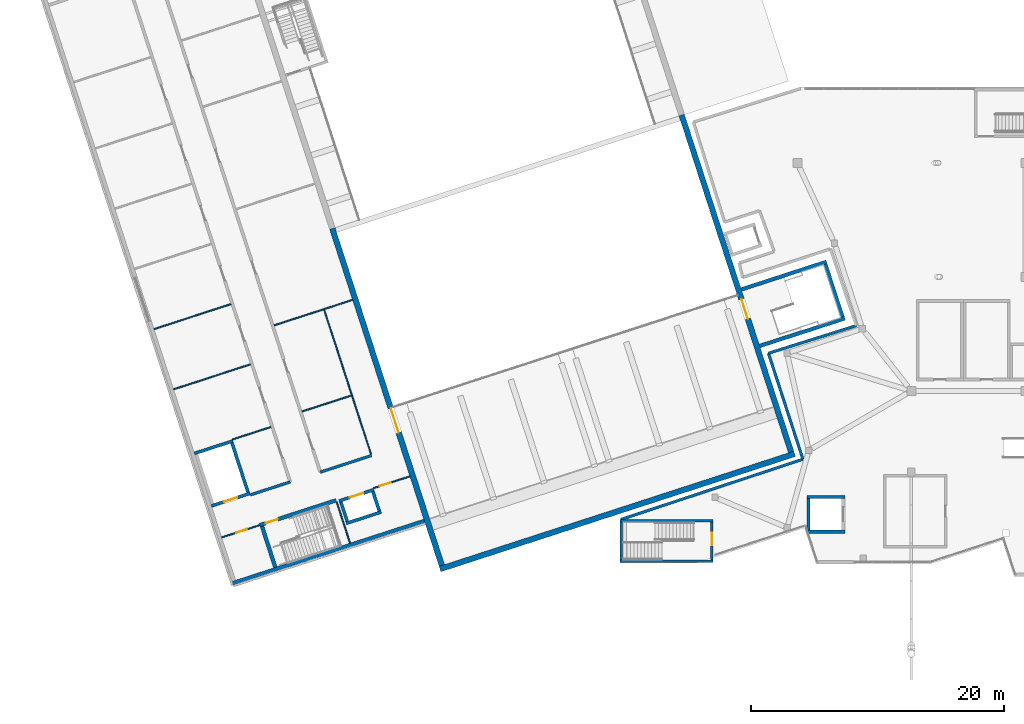
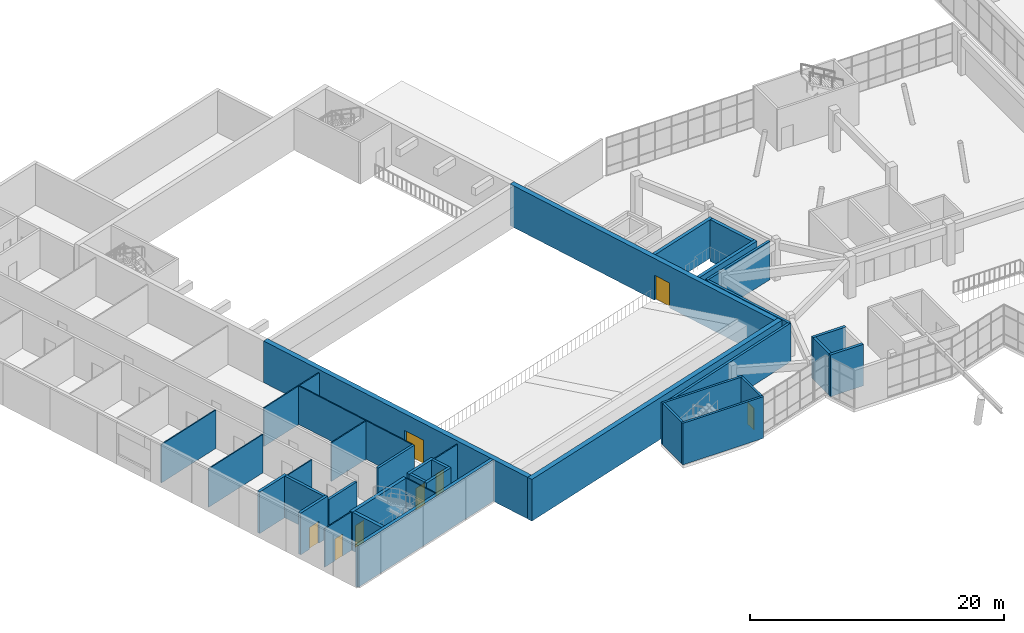
# One storey, part 53 of 65: 38 walls, 8 doors, 8 openings.
"""IFC4 building model written with IfcOpenShell, lengths in metres."""

from ifc_helpers import new_model, si_unit, direction, frame, frame_2d, origin, place, context, subcontext, project, spatial, rectangle, extrude, material, layer, layer_set, type_object, element, fill, save


model = new_model("IFC4")

# Units and contexts
model_context = context("Model", 3, precision=1e-05, world=origin(), true_north=direction((0.0, 1.0)))
body_context = subcontext(model_context, "Body", "Model", "MODEL_VIEW")
ifc_project = project(units=[si_unit("LENGTHUNIT", "METRE"), si_unit("AREAUNIT", "SQUARE_METRE"), si_unit("VOLUMEUNIT", "CUBIC_METRE"), si_unit("PLANEANGLEUNIT", "RADIAN"), si_unit("MASSUNIT", "GRAM", prefix="KILO")], contexts=[model_context])

# Site, building, storey
site_placement = place(None, origin())
site = spatial("IfcSite", under=ifc_project, at=site_placement, CompositionType="ELEMENT")
building_placement = place(site_placement, origin())
building = spatial("IfcBuilding", under=site, at=building_placement, Name="Tuart Plaza Theatre", CompositionType="ELEMENT")
storey_placement = place(building_placement, frame((0.0, 0.0, 9.5)))
storey = spatial("IfcBuildingStorey", under=building, at=storey_placement, Name="L02", CompositionType="ELEMENT", Elevation=9.5)

# Walls
ifc_material_1 = material(Name="Plasterboard on steel stud", Category="steel")
ifc_layer_1 = layer(ifc_material_1, 0.10009765625)
ifc_layer_set_1 = layer_set([ifc_layer_1], Name="PARTITION STD100")
wall_type_1 = type_object("IfcWallType", Name="PARTITION STD100", PredefinedType="PARTITIONING", material=ifc_layer_set_1)
wall_1_placement = place(storey_placement, frame((33.395751953125, 52.16650390625, 0.0), z_axis=(0.0, 0.0, 1.0), x_axis=(0.951044192343, 0.309054921027, 0.0)))
element("IfcWall", 1, at=wall_1_placement, inside=storey, type_object=wall_type_1, Name="P253", PredefinedType="PARTITIONING", context=body_context, shape_type="SweptSolid", body=[
    extrude(rectangle(XDim=3.18994140625, YDim=0.10009765625, at=frame_2d((1.594970703125, 0.0))), origin(), (0.0, 0.0, 1.0), 3.699951171875),
])
wall_2_placement = place(storey_placement, frame((38.892822265625, 54.373291015625, 0.0), z_axis=(0.0, 0.0, 1.0), x_axis=(0.951055560564, 0.309019935796, 0.0)))
element("IfcWall", 2, at=wall_2_placement, inside=storey, type_object=wall_type_1, Name="P254", PredefinedType="PARTITIONING", context=body_context, shape_type="SweptSolid", body=[
    extrude(rectangle(XDim=4.090087890625, YDim=0.10009765625, at=frame_2d((2.044921875, 0.0))), origin(), (0.0, 0.0, 1.0), 3.699951171875),
])
wall_3_placement = place(storey_placement, frame((28.745361328125, 56.123291015625, 0.0), z_axis=(0.0, 0.0, 1.0), x_axis=(0.951059053869, 0.309009184417, 0.0)))
element("IfcWall", 3, at=wall_3_placement, inside=storey, type_object=wall_type_1, Name="P255", PredefinedType="PARTITIONING", context=body_context, shape_type="SweptSolid", body=[
    extrude(rectangle(XDim=6.39013671875, YDim=0.10009765625, at=frame_2d((3.195068359375, 0.0))), origin(), (0.0, 0.0, 1.0), 3.699951171875),
])
wall_4_placement = place(storey_placement, frame((36.683349609375, 61.17333984375, 0.0), z_axis=(0.0, 0.0, 1.0), x_axis=(0.95105616864, 0.309018064344, 0.0)))
element("IfcWall", 4, at=wall_4_placement, inside=storey, type_object=wall_type_1, Name="P256", PredefinedType="PARTITIONING", context=body_context, shape_type="SweptSolid", body=[
    extrude(rectangle(XDim=4.139892578125, YDim=0.10009765625, at=frame_2d((2.06982421875, 0.0))), origin(), (0.0, 0.0, 1.0), 3.699951171875),
])
wall_5_placement = place(storey_placement, frame((27.200439453125, 60.87841796875, 0.0), z_axis=(0.0, 0.0, 1.0), x_axis=(0.951055405517, 0.309020412977, 0.0)))
element("IfcWall", 5, at=wall_5_placement, inside=storey, type_object=wall_type_1, Name="P258", PredefinedType="PARTITIONING", context=body_context, shape_type="SweptSolid", body=[
    extrude(rectangle(XDim=6.389892578125, YDim=0.10009765625, at=frame_2d((3.19482421875, 0.0))), origin(), (0.0, 0.0, 1.0), 3.699951171875),
])

# Wall, opening, door
ifc_material_2 = material(Name="Plasterboard on steel stud", Category="steel")
ifc_layer_2 = layer(ifc_material_2, 0.10009765625)
ifc_layer_set_2 = layer_set([ifc_layer_2], Name="PARTITION STD100 FRL 120/-/-")
wall_type_2 = type_object("IfcWallType", Name="PARTITION STD100 FRL 120/-/-", PredefinedType="PARTITIONING", material=ifc_layer_set_2)
wall_6_placement = place(storey_placement, frame((32.54638671875, 44.42529296875, 0.0), z_axis=(0.0, 0.0, 1.0), x_axis=(0.951058557014, 0.309010713619, 0.0)))
wall_6 = element("IfcWall", 6, at=wall_6_placement, inside=storey, type_object=wall_type_2, Name="P251", PredefinedType="PARTITIONING", context=body_context, shape_type="SweptSolid", body=[
    extrude(rectangle(XDim=3.14990234375, YDim=0.10009765625, at=frame_2d((1.574951171875, 0.0))), origin(), (0.0, 0.0, 1.0), 3.699951171875),
])
opening_1_placement = place(wall_6_placement, frame((1.199951171875, 0.0, 0.0)))
opening_1 = element("IfcOpeningElement", 7, at=opening_1_placement, cuts=wall_6, Name="Opening L02-005", PredefinedType="OPENING", context=body_context, shape_type="SweptSolid", body=[
    extrude(rectangle(XDim=0.89990234375, YDim=2.10009765625, at=frame_2d((0.449951171875, 1.050048828125))), frame((0.0, 0.06005859375, 0.0), z_axis=(0.0, -1.0, 0.0), x_axis=(1.0, 0.0, 0.0)), (0.0, 0.0, 1.0), 0.1201171875),
])
ifc_material_3 = material(Name="Timber", Category="wood")
door_type_1 = type_object("IfcDoorType", Name="DOOR 900x2100 timber single swing FRL -/60/30", OperationType="SINGLE_SWING_LEFT", PredefinedType="DOOR", material=ifc_material_3)
door_1_placement = place(opening_1_placement, frame((0.89990234375, 0.0, 0.0), z_axis=(0.0, 0.0, 1.0), x_axis=(-1.0, 0.0, 0.0)))
door_1 = element("IfcDoor", 8, at=door_1_placement, inside=storey, type_object=door_type_1, Name="L02-005", OperationType="SINGLE_SWING_RIGHT", OverallHeight=2.10009765625, OverallWidth=0.89990234375, PredefinedType="DOOR", context=body_context, shape_type="SweptSolid", body=[
    extrude(rectangle(XDim=0.89990234375, YDim=2.10009765625, at=frame_2d((0.449951171875, 1.050048828125))), frame((0.0, 0.02490234375, 0.0), z_axis=(0.0, -1.0, 0.0), x_axis=(1.0, 0.0, 0.0)), (0.0, 0.0, 1.0), 0.050048828125),
])
fill(opening_1, door_1)

wall_7_placement = place(storey_placement, frame((44.529541015625, 48.31884765625, 0.0), z_axis=(0.0, 0.0, 1.0), x_axis=(0.951053046121, 0.30902767427, 0.0)))
wall_7 = element("IfcWall", 9, at=wall_7_placement, inside=storey, type_object=wall_type_2, Name="P252", PredefinedType="PARTITIONING", context=body_context, shape_type="SweptSolid", body=[
    extrude(rectangle(XDim=3.02490234375, YDim=0.10009765625, at=frame_2d((1.512451171875, 0.0))), origin(), (0.0, 0.0, 1.0), 3.699951171875),
])
opening_2_placement = place(wall_7_placement, frame((0.533447265625, 0.0, 0.0)))
opening_2 = element("IfcOpeningElement", 10, at=opening_2_placement, cuts=wall_7, Name="Opening L02-006", PredefinedType="OPENING", context=body_context, shape_type="SweptSolid", body=[
    extrude(rectangle(XDim=0.89990234375, YDim=2.10009765625, at=frame_2d((0.449951171875, 1.050048828125))), frame((0.0, 0.06005859375, 0.0), z_axis=(0.0, -1.0, 0.0), x_axis=(1.0, 0.0, 0.0)), (0.0, 0.0, 1.0), 0.1201171875),
])
door_2_placement = place(opening_2_placement, frame((0.89990234375, 0.0, 0.0), z_axis=(0.0, 0.0, 1.0), x_axis=(-1.0, 0.0, 0.0)))
door_2 = element("IfcDoor", 11, at=door_2_placement, inside=storey, type_object=door_type_1, Name="L02-006", OperationType="SINGLE_SWING_LEFT", OverallHeight=2.10009765625, OverallWidth=0.89990234375, PredefinedType="DOOR", context=body_context, shape_type="SweptSolid", body=[
    extrude(rectangle(XDim=0.89990234375, YDim=2.10009765625, at=frame_2d((0.449951171875, 1.050048828125))), frame((0.0, 0.02490234375, 0.0), z_axis=(0.0, -1.0, 0.0), x_axis=(1.0, 0.0, 0.0)), (0.0, 0.0, 1.0), 0.050048828125),
])
fill(opening_2, door_2)

# Walls
wall_8_placement = place(storey_placement, frame((40.62060546875, 62.45263671875, 0.0), z_axis=(0.0, 0.0, 1.0), x_axis=(0.951061260164, 0.309002393867, 0.0)))
element("IfcWall", 12, at=wall_8_placement, inside=storey, type_object=wall_type_2, Name="P257", PredefinedType="PARTITIONING", context=body_context, shape_type="SweptSolid", body=[
    extrude(rectangle(XDim=2.375, YDim=0.10009765625, at=frame_2d((1.1875, 0.0))), origin(), (0.0, 0.0, 1.0), 3.699951171875),
])
wall_9_placement = place(storey_placement, frame((44.34130859375, 51.001953125, 0.0), z_axis=(0.0, 0.0, 1.0), x_axis=(-0.309016547708, 0.951056661426, 0.0)))
element("IfcWall", 13, at=wall_9_placement, inside=storey, type_object=wall_type_2, Name="P269", PredefinedType="PARTITIONING", context=body_context, shape_type="SweptSolid", body=[
    extrude(rectangle(XDim=11.989990234375, YDim=0.10009765625, at=frame_2d((5.9951171875, 0.0))), origin(), (0.0, 0.0, 1.0), 3.699951171875),
])
ifc_material_4 = material(Name="Plasterboard on steel stud", Category="steel")
ifc_layer_3 = layer(ifc_material_4, 0.10009765625)
ifc_layer_set_3 = layer_set([ifc_layer_3], Name="PARTITION STD100 FRL 120/120/120")
wall_type_3 = type_object("IfcWallType", Name="PARTITION STD100 FRL 120/120/120", PredefinedType="PARTITIONING", material=ifc_layer_set_3)
wall_10_placement = place(storey_placement, frame((42.678466796875, 43.984619140625, 0.0), z_axis=(0.0, 0.0, 1.0), x_axis=(-0.309045481752, 0.951047259714, 0.0)))
element("IfcWall", 14, at=wall_10_placement, inside=storey, type_object=wall_type_3, Name="P266", PredefinedType="PARTITIONING", context=body_context, shape_type="SweptSolid", body=[
    extrude(rectangle(XDim=3.400146484375, YDim=0.10009765625, at=frame_2d((1.7001953125, 0.0))), origin(), (0.0, 0.0, 1.0), 3.699951171875),
])
ifc_material_5 = material(Name="Concrete N40 (40 MPa)", Category="concrete")
ifc_layer_4 = layer(ifc_material_5, 0.199951171875)
ifc_layer_set_4 = layer_set([ifc_layer_4], Name="SHEAR WALL RC200 FRL 120/120/120")
wall_type_4 = type_object("IfcWallType", Name="SHEAR WALL RC200 FRL 120/120/120", PredefinedType="SHEAR", material=ifc_layer_set_4)
wall_11_placement = place(storey_placement, frame((71.35009765625, 45.75, 0.0), z_axis=(0.0, 0.0, 1.0), x_axis=(-1.0, 0.0, 0.0)))
element("IfcWall", 15, at=wall_11_placement, inside=storey, type_object=wall_type_4, Name="W251", PredefinedType="SHEAR", context=body_context, shape_type="SweptSolid", body=[
    extrude(rectangle(XDim=7.35009765625, YDim=0.199951171875, at=frame_2d((3.675048828125, 0.0))), origin(), (0.0, 0.0, 1.0), 4.0),
])
wall_12_placement = place(storey_placement, frame((64.10009765625, 45.64990234375, 0.0), z_axis=(0.0, 0.0, 1.0), x_axis=(0.0, -1.0, 0.0)))
element("IfcWall", 16, at=wall_12_placement, inside=storey, type_object=wall_type_4, Name="W252", PredefinedType="SHEAR", context=body_context, shape_type="SweptSolid", body=[
    extrude(rectangle(XDim=3.0, YDim=0.199951171875, at=frame_2d((1.5, 0.0))), origin(), (0.0, 0.0, 1.0), 4.0),
])

# Wall, opening, door
wall_13_placement = place(storey_placement, frame((71.25, 42.64990234375, 0.0), z_axis=(0.0, 0.0, 1.0), x_axis=(0.0, 1.0, 0.0)))
wall_13 = element("IfcWall", 17, at=wall_13_placement, inside=storey, type_object=wall_type_4, Name="W253", PredefinedType="SHEAR", context=body_context, shape_type="SweptSolid", body=[
    extrude(rectangle(XDim=3.0, YDim=0.199951171875, at=frame_2d((1.5, 0.0))), origin(), (0.0, 0.0, 1.0), 4.0),
])
opening_3_placement = place(wall_13_placement, frame((1.14990234375, 0.0, 0.0)))
opening_3 = element("IfcOpeningElement", 18, at=opening_3_placement, cuts=wall_13, Name="Opening L02-035", PredefinedType="OPENING", context=body_context, shape_type="SweptSolid", body=[
    extrude(rectangle(XDim=1.0, YDim=2.10009765625, at=frame_2d((0.5, 1.050048828125))), frame((0.0, 0.10986328125, 0.0), z_axis=(0.0, -1.0, 0.0), x_axis=(1.0, 0.0, 0.0)), (0.0, 0.0, 1.0), 0.219970703125),
])
ifc_material_6 = material(Name="Steel Grade 300", Category="steel")
door_type_2 = type_object("IfcDoorType", Name="DOOR 1000x2100 steel single swing FRL -/120/30", OperationType="SINGLE_SWING_LEFT", PredefinedType="DOOR", material=ifc_material_6)
door_3_placement = place(opening_3_placement, origin())
door_3 = element("IfcDoor", 19, at=door_3_placement, inside=storey, type_object=door_type_2, Name="L02-035", OperationType="SINGLE_SWING_LEFT", OverallHeight=2.10009765625, OverallWidth=1.0, PredefinedType="DOOR", context=body_context, shape_type="SweptSolid", body=[
    extrude(rectangle(XDim=1.0, YDim=2.10009765625, at=frame_2d((0.5, 1.050048828125))), frame((0.0, 0.02490234375, 0.0), z_axis=(0.0, -1.0, 0.0), x_axis=(1.0, 0.0, 0.0)), (0.0, 0.0, 1.0), 0.050048828125),
])
fill(opening_3, door_3)

# Walls
ifc_material_7 = material(Name="Concrete N40 (40 MPa)", Category="concrete")
ifc_layer_5 = layer(ifc_material_7, 0.199951171875)
ifc_layer_set_5 = layer_set([ifc_layer_5], Name="SHEAR WALL RC200 FRL 120/120/120 EXT")
wall_type_5 = type_object("IfcWallType", Name="SHEAR WALL RC200 FRL 120/120/120 EXT", PredefinedType="SHEAR", material=ifc_layer_set_5)
wall_14_placement = place(storey_placement, frame((64.0, 42.550048828125, 0.0), z_axis=(0.0, 0.0, 1.0), x_axis=(1.0, 0.0, 0.0)))
element("IfcWall", 20, at=wall_14_placement, inside=storey, type_object=wall_type_5, Name="W250", PredefinedType="SHEAR", context=body_context, shape_type="SweptSolid", body=[
    extrude(rectangle(XDim=7.35009765625, YDim=0.199951171875, at=frame_2d((3.675048828125, 0.0))), origin(), (0.0, 0.0, 1.0), 4.0),
])
ifc_material_8 = material(Name="Concrete N40 (40 MPa)", Category="concrete")
ifc_layer_6 = layer(ifc_material_8, 0.25)
ifc_layer_set_6 = layer_set([ifc_layer_6], Name="SHEAR WALL RC250 FRL 120/120/120")
wall_type_6 = type_object("IfcWallType", Name="SHEAR WALL RC250 FRL 120/120/120", PredefinedType="SHEAR", material=ifc_layer_set_6)
wall_15_placement = place(storey_placement, frame((42.3818359375, 45.54443359375, 0.0), z_axis=(0.0, 0.0, 1.0), x_axis=(0.951071801089, 0.308969948659, 0.0)))
element("IfcWall", 21, at=wall_15_placement, inside=storey, type_object=wall_type_6, Name="W180", PredefinedType="SHEAR", context=body_context, shape_type="SweptSolid", body=[
    extrude(rectangle(XDim=2.89990234375, YDim=0.25, at=frame_2d((1.449951171875, 0.0))), origin(), (0.0, 0.0, 1.0), 4.0),
])
wall_16_placement = place(storey_placement, frame((44.982421875, 46.520751953125, 0.0), z_axis=(0.0, 0.0, 1.0), x_axis=(-0.308986014439, 0.951066581729, 0.0)))
element("IfcWall", 22, at=wall_16_placement, inside=storey, type_object=wall_type_6, Name="W181", PredefinedType="SHEAR", context=body_context, shape_type="SweptSolid", body=[
    extrude(rectangle(XDim=1.60009765625, YDim=0.25, at=frame_2d((0.800048828125, 0.0))), origin(), (0.0, 0.0, 1.0), 4.0),
])

# Wall, opening, door
wall_17_placement = place(storey_placement, frame((44.568359375, 48.199951171875, 0.0), z_axis=(0.0, 0.0, 1.0), x_axis=(-0.951047059821, -0.309046096893, 0.0)))
wall_17 = element("IfcWall", 23, at=wall_17_placement, inside=storey, type_object=wall_type_6, Name="W182", PredefinedType="SHEAR", context=body_context, shape_type="SweptSolid", body=[
    extrude(rectangle(XDim=2.89990234375, YDim=0.25, at=frame_2d((1.449951171875, 0.0))), origin(), (0.0, 0.0, 1.0), 4.0),
])
opening_4_placement = place(wall_17_placement, frame((0.89990234375, 0.0, 0.0)))
opening_4 = element("IfcOpeningElement", 24, at=opening_4_placement, cuts=wall_17, Name="Opening L02-001", PredefinedType="OPENING", context=body_context, shape_type="SweptSolid", body=[
    extrude(rectangle(XDim=1.10009765625, YDim=2.10009765625, at=frame_2d((0.550048828125, 1.050048828125))), frame((0.0, 0.135009765625, 0.0), z_axis=(0.0, -1.0, 0.0), x_axis=(1.0, 0.0, 0.0)), (0.0, 0.0, 1.0), 0.27001953125),
])
ifc_material_9 = material(Name="Steel Grade 300", Category="steel")
door_type_3 = type_object("IfcDoorType", Name="LANDING DOOR 1100x2100 steel sliding FRL -/120/30", OperationType="SLIDING_TO_LEFT", PredefinedType="DOOR", material=ifc_material_9)
door_4_placement = place(opening_4_placement, origin())
door_4 = element("IfcDoor", 25, at=door_4_placement, inside=storey, type_object=door_type_3, Name="L02-001", OperationType="SLIDING_TO_LEFT", OverallHeight=2.10009765625, OverallWidth=1.10009765625, PredefinedType="DOOR", context=body_context, shape_type="SweptSolid", body=[
    extrude(rectangle(XDim=1.10009765625, YDim=2.10009765625, at=frame_2d((0.550048828125, 1.050048828125))), frame((0.0, 0.02490234375, 0.0), z_axis=(0.0, -1.0, 0.0), x_axis=(1.0, 0.0, 0.0)), (0.0, 0.0, 1.0), 0.050048828125),
])
fill(opening_4, door_4)

# Wall
wall_18_placement = place(storey_placement, frame((41.9677734375, 47.2236328125, 0.0), z_axis=(0.0, 0.0, 1.0), x_axis=(0.308986014439, -0.951066581729, 0.0)))
element("IfcWall", 26, at=wall_18_placement, inside=storey, type_object=wall_type_6, Name="W183", PredefinedType="SHEAR", context=body_context, shape_type="SweptSolid", body=[
    extrude(rectangle(XDim=1.60009765625, YDim=0.25, at=frame_2d((0.800048828125, 0.0))), origin(), (0.0, 0.0, 1.0), 4.0),
])

# Wall, opening, door
wall_19_placement = place(storey_placement, frame((31.735107421875, 46.921630859375, 0.0), z_axis=(0.0, 0.0, 1.0), x_axis=(0.95104415986, 0.309055020985, 0.0)))
wall_19 = element("IfcWall", 27, at=wall_19_placement, inside=storey, type_object=wall_type_6, Name="W212", PredefinedType="SHEAR", context=body_context, shape_type="SweptSolid", body=[
    extrude(rectangle(XDim=3.2001953125, YDim=0.25, at=frame_2d((1.60009765625, 0.0))), origin(), (0.0, 0.0, 1.0), 4.0),
])
opening_5_placement = place(wall_19_placement, frame((1.050048828125, 0.0, 0.0)))
opening_5 = element("IfcOpeningElement", 28, at=opening_5_placement, cuts=wall_19, Name="Opening L02-002", PredefinedType="OPENING", context=body_context, shape_type="SweptSolid", body=[
    extrude(rectangle(XDim=1.10009765625, YDim=2.10009765625, at=frame_2d((0.550048828125, 1.050048828125))), frame((0.0, 0.135009765625, 0.0), z_axis=(0.0, -1.0, 0.0), x_axis=(1.0, 0.0, 0.0)), (0.0, 0.0, 1.0), 0.27001953125),
])
door_5_placement = place(opening_5_placement, origin())
door_5 = element("IfcDoor", 29, at=door_5_placement, inside=storey, type_object=door_type_3, Name="L02-002", OperationType="SLIDING_TO_LEFT", OverallHeight=2.10009765625, OverallWidth=1.10009765625, PredefinedType="DOOR", context=body_context, shape_type="SweptSolid", body=[
    extrude(rectangle(XDim=1.10009765625, YDim=2.10009765625, at=frame_2d((0.550048828125, 1.050048828125))), frame((0.0, 0.02490234375, 0.0), z_axis=(0.0, -1.0, 0.0), x_axis=(1.0, 0.0, 0.0)), (0.0, 0.0, 1.0), 0.050048828125),
])
fill(opening_5, door_5)

# Walls
wall_20_placement = place(storey_placement, frame((34.62109375, 47.990966796875, 0.0), z_axis=(0.0, 0.0, 1.0), x_axis=(-0.309055103076, 0.951044133184, 0.0)))
element("IfcWall", 30, at=wall_20_placement, inside=storey, type_object=wall_type_6, Name="W213", PredefinedType="SHEAR", context=body_context, shape_type="SweptSolid", body=[
    extrude(rectangle(XDim=4.099853515625, YDim=0.25, at=frame_2d((2.0498046875, 0.0))), origin(), (0.0, 0.0, 1.0), 4.0),
])
wall_21_placement = place(storey_placement, frame((33.434326171875, 52.047607421875, 0.0), z_axis=(0.0, 0.0, 1.0), x_axis=(-0.951066581729, -0.308986014439, 0.0)))
element("IfcWall", 31, at=wall_21_placement, inside=storey, type_object=wall_type_6, Name="W214", PredefinedType="SHEAR", context=body_context, shape_type="SweptSolid", body=[
    extrude(rectangle(XDim=3.199951171875, YDim=0.25, at=frame_2d((1.60009765625, 0.0))), origin(), (0.0, 0.0, 1.0), 4.0),
])
for number, where, z_axis, x_axis, name in (
    (32, (78.75, 44.875, 0.0), (0.0, 0.0, 1.0), (1.0, 0.0, 0.0), "W283"),
    (33, (81.75, 47.625, 0.0), (0.0, 0.0, 1.0), (-1.0, 0.0, 0.0), "W285"),
):
    element("IfcWall", number, at=place(storey_placement, frame(where, z_axis=z_axis, x_axis=x_axis)), inside=storey, type_object=wall_type_6, Name=name, PredefinedType="SHEAR", context=body_context, shape_type="SweptSolid", body=[
        extrude(rectangle(XDim=3.0, YDim=0.25, at=frame_2d((1.5, 0.0))), origin(), (0.0, 0.0, 1.0), 4.0),
    ])
wall_22_placement = place(storey_placement, frame((78.875, 47.5, 0.0), z_axis=(0.0, 0.0, 1.0), x_axis=(0.0, -1.0, 0.0)))
element("IfcWall", 34, at=wall_22_placement, inside=storey, type_object=wall_type_6, Name="W286", PredefinedType="SHEAR", context=body_context, shape_type="SweptSolid", body=[
    extrude(rectangle(XDim=2.5, YDim=0.25, at=frame_2d((1.25, 0.0))), origin(), (0.0, 0.0, 1.0), 4.0),
])
ifc_material_10 = material(Name="Concrete N50 (50 MPa)", Category="concrete")
ifc_layer_7 = layer(ifc_material_10, 0.449951171875)
ifc_layer_set_7 = layer_set([ifc_layer_7], Name="SHEAR WALL RC450 N50 FRL 120/120/120")
wall_type_7 = type_object("IfcWallType", Name="SHEAR WALL RC450 N50 FRL 120/120/120", PredefinedType="SHEAR", material=ifc_layer_set_7)
wall_23_placement = place(storey_placement, frame((49.7861328125, 41.930419921875, 0.0), z_axis=(0.0, 0.0, 1.0), x_axis=(0.951055937194, 0.309018776661, 0.0)))
element("IfcWall", 35, at=wall_23_placement, inside=storey, type_object=wall_type_7, Name="W30", PredefinedType="SHEAR", context=body_context, shape_type="SweptSolid", body=[
    extrude(rectangle(XDim=29.449951171875, YDim=0.449951171875, at=frame_2d((14.72509765625, 0.0))), origin(), (0.0, 0.0, 1.0), 4.0),
])

# Wall, opening, door
wall_24_placement = place(storey_placement, frame((49.930419921875, 42.2138671875, 0.0), z_axis=(0.0, 0.0, 1.0), x_axis=(-0.309016215614, 0.95105676933, 0.0)))
wall_24 = element("IfcWall", 36, at=wall_24_placement, inside=storey, type_object=wall_type_7, Name="W31", PredefinedType="SHEAR", context=body_context, shape_type="SweptSolid", body=[
    extrude(rectangle(XDim=27.97509765625, YDim=0.449951171875, at=frame_2d((13.987548828125, 0.0))), origin(), (0.0, 0.0, 1.0), 4.0),
])
opening_6_placement = place(wall_24_placement, frame((11.041748046875, 0.0, 0.0)))
opening_6 = element("IfcOpeningElement", 37, at=opening_6_placement, cuts=wall_24, Name="Opening L02-030", PredefinedType="OPENING", context=body_context, shape_type="SweptSolid", body=[
    extrude(rectangle(XDim=2.0, YDim=2.39990234375, at=frame_2d((1.0, 1.199951171875))), frame((0.0, 0.23486328125, 0.0), z_axis=(0.0, -1.0, 0.0), x_axis=(1.0, 0.0, 0.0)), (0.0, 0.0, 1.0), 0.469970703125),
])
ifc_material_11 = material(Name="Timber", Category="wood")
door_type_4 = type_object("IfcDoorType", Name="DOOR 2000x2400 timber double swing FRL -/120/30", OperationType="DOUBLE_DOOR_SINGLE_SWING", PredefinedType="DOOR", material=ifc_material_11)
door_6_placement = place(opening_6_placement, frame((2.0, 0.0, 0.0), z_axis=(0.0, 0.0, 1.0), x_axis=(-1.0, 0.0, 0.0)))
door_6 = element("IfcDoor", 38, at=door_6_placement, inside=storey, type_object=door_type_4, Name="L02-030", OperationType="DOUBLE_DOOR_SINGLE_SWING", OverallHeight=2.39990234375, OverallWidth=2.0, PredefinedType="DOOR", context=body_context, shape_type="SweptSolid", body=[
    extrude(rectangle(XDim=2.0, YDim=2.39990234375, at=frame_2d((1.0, 1.199951171875))), frame((0.0, 0.02490234375, 0.0), z_axis=(0.0, -1.0, 0.0), x_axis=(1.0, 0.0, 0.0)), (0.0, 0.0, 1.0), 0.050048828125),
])
fill(opening_6, door_6)

wall_25_placement = place(storey_placement, frame((77.51123046875, 51.175537109375, 0.0), z_axis=(0.0, 0.0, 1.0), x_axis=(-0.309018780445, 0.951055935964, 0.0)))
wall_25 = element("IfcWall", 39, at=wall_25_placement, inside=storey, type_object=wall_type_7, Name="W32", PredefinedType="SHEAR", context=body_context, shape_type="SweptSolid", body=[
    extrude(rectangle(XDim=27.974853515625, YDim=0.449951171875, at=frame_2d((13.9873046875, 0.0))), origin(), (0.0, 0.0, 1.0), 4.0),
])
opening_7_placement = place(wall_25_placement, frame((11.074951171875, 0.0, 0.0)))
opening_7 = element("IfcOpeningElement", 40, at=opening_7_placement, cuts=wall_25, Name="Opening L02-027", PredefinedType="OPENING", context=body_context, shape_type="SweptSolid", body=[
    extrude(rectangle(XDim=1.60009765625, YDim=2.39990234375, at=frame_2d((0.800048828125, 1.199951171875))), frame((0.0, 0.23486328125, 0.0), z_axis=(0.0, -1.0, 0.0), x_axis=(1.0, 0.0, 0.0)), (0.0, 0.0, 1.0), 0.469970703125),
])
ifc_material_12 = material(Name="Timber", Category="wood")
door_type_5 = type_object("IfcDoorType", Name="DOOR 1600x2400 timber double swing FRL -/120/30", OperationType="DOUBLE_DOOR_SINGLE_SWING", PredefinedType="DOOR", material=ifc_material_12)
door_7_placement = place(opening_7_placement, frame((1.60009765625, 0.0, 0.0), z_axis=(0.0, 0.0, 1.0), x_axis=(-1.0, 0.0, 0.0)))
door_7 = element("IfcDoor", 41, at=door_7_placement, inside=storey, type_object=door_type_5, Name="L02-027", OperationType="DOUBLE_DOOR_SINGLE_SWING", OverallHeight=2.39990234375, OverallWidth=1.60009765625, PredefinedType="DOOR", context=body_context, shape_type="SweptSolid", body=[
    extrude(rectangle(XDim=1.60009765625, YDim=2.39990234375, at=frame_2d((0.800048828125, 1.199951171875))), frame((0.0, 0.02490234375, 0.0), z_axis=(0.0, -1.0, 0.0), x_axis=(1.0, 0.0, 0.0)), (0.0, 0.0, 1.0), 0.050048828125),
])
fill(opening_7, door_7)

# Walls
ifc_material_13 = material(Name="Concrete N40 (40 MPa)", Category="concrete")
ifc_layer_8 = layer(ifc_material_13, 0.219970703125)
ifc_layer_set_8 = layer_set([ifc_layer_8], Name="WALL RC220 FRL 120/120/120")
wall_type_8 = type_object("IfcWallType", Name="WALL RC220 FRL 120/120/120", PredefinedType="SOLIDWALL", material=ifc_layer_set_8)
wall_26_placement = place(storey_placement, frame((64.080810546875, 45.859130859375, 0.0), z_axis=(0.0, 0.0, 1.0), x_axis=(0.949388338269, 0.314104732786, 0.0)))
element("IfcWall", 42, at=wall_26_placement, inside=storey, type_object=wall_type_8, Name="P39", PredefinedType="SOLIDWALL", context=body_context, shape_type="SweptSolid", body=[
    extrude(rectangle(XDim=15.1162109375, YDim=0.219970703125, at=frame_2d((7.55810546875, 0.0))), origin(), (0.0, 0.0, 1.0), 3.699951171875),
])
wall_27_placement = place(storey_placement, frame((78.431884765625, 50.607177734375, 0.0), z_axis=(0.0, 0.0, 1.0), x_axis=(-0.309027731765, 0.951053027439, 0.0)))
element("IfcWall", 43, at=wall_27_placement, inside=storey, type_object=wall_type_8, Name="P40", PredefinedType="SOLIDWALL", context=body_context, shape_type="SweptSolid", body=[
    extrude(rectangle(XDim=8.800048828125, YDim=0.219970703125, at=frame_2d((4.39990234375, 0.0))), origin(), (0.0, 0.0, 1.0), 3.699951171875),
])
wall_28_placement = place(storey_placement, frame((75.71240234375, 58.9765625, 0.0), z_axis=(0.0, 0.0, 1.0), x_axis=(0.954020604523, 0.299741031802, 0.0)))
element("IfcWall", 44, at=wall_28_placement, inside=storey, type_object=wall_type_8, Name="P41", PredefinedType="SOLIDWALL", context=body_context, shape_type="SweptSolid", body=[
    extrude(rectangle(XDim=7.27099609375, YDim=0.219970703125, at=frame_2d((3.635498046875, 0.0))), origin(), (0.0, 0.0, 1.0), 3.699951171875),
])
ifc_material_14 = material(Name="Concrete N40 (40 MPa)", Category="concrete")
ifc_layer_9 = layer(ifc_material_14, 0.219970703125)
ifc_layer_set_9 = layer_set([ifc_layer_9], Name="WALL RC220 LB FRL 120/120/120")
wall_type_9 = type_object("IfcWallType", Name="WALL RC220 LB FRL 120/120/120", PredefinedType="SOLIDWALL", material=ifc_layer_set_9)
wall_29_placement = place(storey_placement, frame((34.817138671875, 47.791748046875, 0.0), z_axis=(0.0, 0.0, 1.0), x_axis=(0.951053095941, 0.309027520945, 0.0)))
element("IfcWall", 45, at=wall_29_placement, inside=storey, type_object=wall_type_9, Name="W523", PredefinedType="SOLIDWALL", context=body_context, shape_type="SweptSolid", body=[
    extrude(rectangle(XDim=3.300048828125, YDim=0.219970703125, at=frame_2d((1.64990234375, 0.0))), origin(), (0.0, 0.0, 1.0), 3.699951171875),
])
wall_30_placement = place(storey_placement, frame((40.333251953125, 49.583984375, 0.0), z_axis=(0.0, 0.0, 1.0), x_axis=(0.951062770994, 0.308997743729, 0.0)))
element("IfcWall", 46, at=wall_30_placement, inside=storey, type_object=wall_type_9, Name="W524", PredefinedType="SOLIDWALL", context=body_context, shape_type="SweptSolid", body=[
    extrude(rectangle(XDim=4.25, YDim=0.219970703125, at=frame_2d((2.125, 0.0))), origin(), (0.0, 0.0, 1.0), 3.699951171875),
])
ifc_material_15 = material(Name="Concrete N40 (40 MPa)", Category="concrete")
ifc_layer_10 = layer(ifc_material_15, 0.300048828125)
ifc_layer_set_10 = layer_set([ifc_layer_10], Name="WALL RC300 LB FRL 120/120/120")
wall_type_10 = type_object("IfcWallType", Name="WALL RC300 LB FRL 120/120/120", PredefinedType="SOLIDWALL", material=ifc_layer_set_10)
wall_31_placement = place(storey_placement, frame((48.550048828125, 45.734619140625, 0.0), z_axis=(0.0, 0.0, 1.0), x_axis=(-0.951061216338, -0.309002528757, 0.0)))
element("IfcWall", 47, at=wall_31_placement, inside=storey, type_object=wall_type_10, Name="W71", PredefinedType="SOLIDWALL", context=body_context, shape_type="SweptSolid", body=[
    extrude(rectangle(XDim=15.925048828125, YDim=0.300048828125, at=frame_2d((7.96240234375, 0.0))), origin(), (0.0, 0.0, 1.0), 4.0),
])

# Wall, opening, door
wall_32_placement = place(storey_placement, frame((41.581298828125, 47.36083984375, 0.0), z_axis=(0.0, 0.0, 1.0), x_axis=(-0.951058929949, -0.309009565815, 0.0)))
wall_32 = element("IfcWall", 48, at=wall_32_placement, inside=storey, type_object=wall_type_10, Name="W105", PredefinedType="SOLIDWALL", context=body_context, shape_type="SweptSolid", body=[
    extrude(rectangle(XDim=6.349853515625, YDim=0.300048828125, at=frame_2d((3.1748046875, 0.0))), origin(), (0.0, 0.0, 1.0), 3.699951171875),
])
opening_8_placement = place(wall_32_placement, frame((4.85009765625, 0.0, 0.0)))
opening_8 = element("IfcOpeningElement", 49, at=opening_8_placement, cuts=wall_32, Name="Opening L02-025", PredefinedType="OPENING", context=body_context, shape_type="SweptSolid", body=[
    extrude(rectangle(XDim=1.0, YDim=2.10009765625, at=frame_2d((0.5, 1.050048828125))), frame((0.0, 0.159912109375, 0.0), z_axis=(0.0, -1.0, 0.0), x_axis=(1.0, 0.0, 0.0)), (0.0, 0.0, 1.0), 0.320068359375),
])
ifc_material_16 = material(Name="Timber", Category="wood")
door_type_6 = type_object("IfcDoorType", Name="DOOR 1000x2100 timber single swing FRL -/120/30", OperationType="SINGLE_SWING_LEFT", PredefinedType="DOOR", material=ifc_material_16)
door_8_placement = place(opening_8_placement, origin())
door_8 = element("IfcDoor", 50, at=door_8_placement, inside=storey, type_object=door_type_6, Name="L02-025", OperationType="SINGLE_SWING_LEFT", OverallHeight=2.10009765625, OverallWidth=1.0, PredefinedType="DOOR", context=body_context, shape_type="SweptSolid", body=[
    extrude(rectangle(XDim=1.0, YDim=2.10009765625, at=frame_2d((0.5, 1.050048828125))), frame((0.0, 0.02490234375, 0.0), z_axis=(0.0, -1.0, 0.0), x_axis=(1.0, 0.0, 0.0)), (0.0, 0.0, 1.0), 0.050048828125),
])
fill(opening_8, door_8)

# Walls
wall_33_placement = place(storey_placement, frame((35.731201171875, 45.30224609375, 0.0), z_axis=(0.0, 0.0, 1.0), x_axis=(0.308980533303, -0.951068362443, 0.0)))
element("IfcWall", 51, at=wall_33_placement, inside=storey, type_object=wall_type_10, Name="W106", PredefinedType="SOLIDWALL", context=body_context, shape_type="SweptSolid", body=[
    extrude(rectangle(XDim=3.39990234375, YDim=0.300048828125, at=frame_2d((1.699951171875, 0.0))), origin(), (0.0, 0.0, 1.0), 3.699951171875),
])
wall_34_placement = place(storey_placement, frame((75.02880859375, 59.54296875, 0.0), z_axis=(0.0, 0.0, 1.0), x_axis=(0.951057649576, 0.309013506475, 0.0)))
element("IfcWall", 52, at=wall_34_placement, inside=storey, type_object=wall_type_10, Name="W131", PredefinedType="SOLIDWALL", context=body_context, shape_type="SweptSolid", body=[
    extrude(rectangle(XDim=7.074951171875, YDim=0.300048828125, at=frame_2d((3.53759765625, 0.0))), origin(), (0.0, 0.0, 1.0), 3.699951171875),
])
wall_35_placement = place(storey_placement, frame((81.568603515625, 61.82568359375, -0.300048828125), z_axis=(0.0, 0.0, 1.0), x_axis=(-0.30901079133, 0.951058531764, 0.0)))
element("IfcWall", 53, at=wall_35_placement, inside=storey, type_object=wall_type_10, Name="W132", PredefinedType="SOLIDWALL", context=body_context, shape_type="SweptSolid", body=[
    extrude(rectangle(XDim=4.39990234375, YDim=0.300048828125, at=frame_2d((2.199951171875, 0.0))), origin(), (0.0, 0.0, 1.0), 4.0),
])
wall_36_placement = place(storey_placement, frame((80.30517578125, 66.19921875, 0.0), z_axis=(0.0, 0.0, 1.0), x_axis=(-0.951054354327, -0.309023648149, 0.0)))
element("IfcWall", 54, at=wall_36_placement, inside=storey, type_object=wall_type_10, Name="W133", PredefinedType="SOLIDWALL", context=body_context, shape_type="SweptSolid", body=[
    extrude(rectangle(XDim=7.07470703125, YDim=0.300048828125, at=frame_2d((3.537353515625, 0.0))), origin(), (0.0, 0.0, 1.0), 3.699951171875),
])

save(model, "model.ifc")
